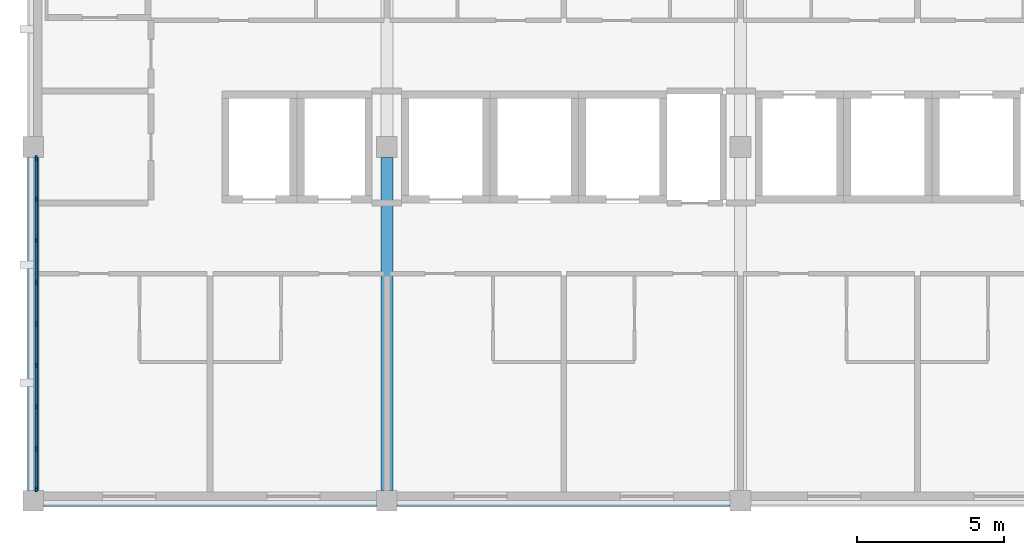
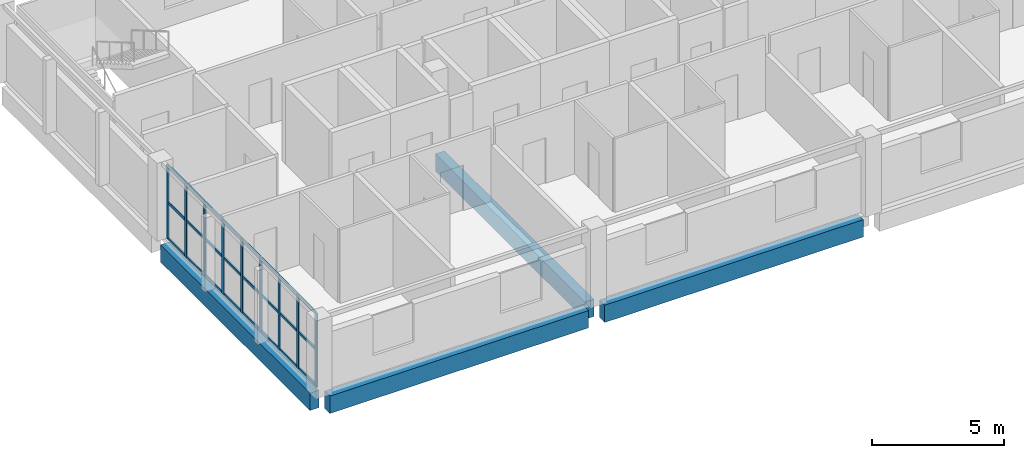
# One storey, part 2 of 11: 33 members, 4 beams, 1 element without a shape of its own.
"""IFC4 building model written with IfcOpenShell, lengths in metres."""

from ifc_helpers import new_model, si_unit, direction, frame, origin, origin_2d, place, context, subcontext, project, spatial, rectangle, extrude, material, layer, layer_set, material_profile, profile_set, type_object, element, aggregate, save


model = new_model("IFC4")

# Units and contexts
model_context = context("Model", 3, precision=1e-05, world=origin(), true_north=direction((0.0, 1.0)))
body_context = subcontext(model_context, "Body", "Model", "MODEL_VIEW")
ifc_project = project(units=[si_unit("LENGTHUNIT", "METRE"), si_unit("AREAUNIT", "SQUARE_METRE"), si_unit("VOLUMEUNIT", "CUBIC_METRE"), si_unit("PLANEANGLEUNIT", "RADIAN"), si_unit("MASSUNIT", "GRAM", prefix="KILO")], contexts=[model_context])

# Site, building, storey
site_placement = place(None, origin())
site = spatial("IfcSite", under=ifc_project, at=site_placement, CompositionType="ELEMENT")
building_placement = place(site_placement, origin())
building = spatial("IfcBuilding", under=site, at=building_placement, Name="Lilac Gate Convention Centre", CompositionType="ELEMENT")
storey_placement = place(building_placement, frame((0.0, 0.0, 60.60009765625)))
storey = spatial("IfcBuildingStorey", under=building, at=storey_placement, Name="L15", CompositionType="ELEMENT", Elevation=60.60009765625)

# Curtain wall, members
ifc_material_1 = material(Name="Aluminium framed double glazing", Category="aluminium")
ifc_layer = layer(ifc_material_1, 0.199951171875)
ifc_layer_set = layer_set([ifc_layer], Name="Aluminium framed double glazing")
curtain_wall_type = type_object("IfcCurtainWallType", Name="Unitised curtain wall 1500", PredefinedType="NOTDEFINED", material=ifc_layer_set)
curtain_wall_placement = place(storey_placement, origin())
curtain_wall = element("IfcCurtainWall", 1, at=curtain_wall_placement, inside=storey, type_object=curtain_wall_type, Name="Curtain wall W L15 2", PredefinedType="NOTDEFINED")
ifc_material_2 = material(Name="Aluminium alloy 6063", Category="aluminium")
ifc_material_profile_1 = material_profile(ifc_material_2, rectangle(XDim=0.06005859375, YDim=0.159912109375, at=origin_2d()), Name="Curtain wall mullion 60 x 160")
ifc_profile_set_1 = profile_set([ifc_material_profile_1], Name="Aluminium alloy 6063")
member_type_1 = type_object("IfcMemberType", Name="Curtain wall mullion 60 x 160", PredefinedType="MULLION", material=ifc_profile_set_1)
member_1_placement = place(storey_placement, frame((42.10009765625, 233.619873046875, 0.0), z_axis=(0.0, 0.0, 1.0), x_axis=(1.0, 0.0, 0.0)))
member_1 = element("IfcMember", 2, at=member_1_placement, type_object=member_type_1, Name="CW mullion 1", PredefinedType="MULLION", context=body_context, shape_type="SweptSolid", body=[
    extrude(rectangle(XDim=0.06005859375, YDim=0.159912109375, at=origin_2d()), origin(), (0.0, 0.0, 1.0), 3.39990234375),
])
member_2_placement = place(storey_placement, frame((42.10009765625, 232.237548828125, 0.0), z_axis=(0.0, 0.0, 1.0), x_axis=(1.0, 0.0, 0.0)))
member_2 = element("IfcMember", 3, at=member_2_placement, type_object=member_type_1, Name="CW mullion 2", PredefinedType="MULLION", context=body_context, shape_type="SweptSolid", body=[
    extrude(rectangle(XDim=0.06005859375, YDim=0.159912109375, at=origin_2d()), origin(), (0.0, 0.0, 1.0), 3.39990234375),
])
member_3_placement = place(storey_placement, frame((42.10009765625, 230.824951171875, 0.0), z_axis=(0.0, 0.0, 1.0), x_axis=(1.0, 0.0, 0.0)))
member_3 = element("IfcMember", 4, at=member_3_placement, type_object=member_type_1, Name="CW mullion 3", PredefinedType="MULLION", context=body_context, shape_type="SweptSolid", body=[
    extrude(rectangle(XDim=0.06005859375, YDim=0.159912109375, at=origin_2d()), origin(), (0.0, 0.0, 1.0), 3.39990234375),
])
member_4_placement = place(storey_placement, frame((42.10009765625, 229.41259765625, 0.0), z_axis=(0.0, 0.0, 1.0), x_axis=(1.0, 0.0, 0.0)))
member_4 = element("IfcMember", 5, at=member_4_placement, type_object=member_type_1, Name="CW mullion 4", PredefinedType="MULLION", context=body_context, shape_type="SweptSolid", body=[
    extrude(rectangle(XDim=0.06005859375, YDim=0.159912109375, at=origin_2d()), origin(), (0.0, 0.0, 1.0), 3.39990234375),
])
member_5_placement = place(storey_placement, frame((42.10009765625, 228.0, 0.0), z_axis=(0.0, 0.0, 1.0), x_axis=(1.0, 0.0, 0.0)))
member_5 = element("IfcMember", 6, at=member_5_placement, type_object=member_type_1, Name="CW mullion 5", PredefinedType="MULLION", context=body_context, shape_type="SweptSolid", body=[
    extrude(rectangle(XDim=0.06005859375, YDim=0.159912109375, at=origin_2d()), origin(), (0.0, 0.0, 1.0), 3.39990234375),
])
member_6_placement = place(storey_placement, frame((42.10009765625, 226.58740234375, 0.0), z_axis=(0.0, 0.0, 1.0), x_axis=(1.0, 0.0, 0.0)))
member_6 = element("IfcMember", 7, at=member_6_placement, type_object=member_type_1, Name="CW mullion 6", PredefinedType="MULLION", context=body_context, shape_type="SweptSolid", body=[
    extrude(rectangle(XDim=0.06005859375, YDim=0.159912109375, at=origin_2d()), origin(), (0.0, 0.0, 1.0), 3.39990234375),
])
member_7_placement = place(storey_placement, frame((42.10009765625, 225.175048828125, 0.0), z_axis=(0.0, 0.0, 1.0), x_axis=(1.0, 0.0, 0.0)))
member_7 = element("IfcMember", 8, at=member_7_placement, type_object=member_type_1, Name="CW mullion 7", PredefinedType="MULLION", context=body_context, shape_type="SweptSolid", body=[
    extrude(rectangle(XDim=0.06005859375, YDim=0.159912109375, at=origin_2d()), origin(), (0.0, 0.0, 1.0), 3.39990234375),
])
member_8_placement = place(storey_placement, frame((42.10009765625, 223.762451171875, 0.0), z_axis=(0.0, 0.0, 1.0), x_axis=(1.0, 0.0, 0.0)))
member_8 = element("IfcMember", 9, at=member_8_placement, type_object=member_type_1, Name="CW mullion 8", PredefinedType="MULLION", context=body_context, shape_type="SweptSolid", body=[
    extrude(rectangle(XDim=0.06005859375, YDim=0.159912109375, at=origin_2d()), origin(), (0.0, 0.0, 1.0), 3.39990234375),
])
member_9_placement = place(storey_placement, frame((42.10009765625, 222.380126953125, 0.0), z_axis=(0.0, 0.0, 1.0), x_axis=(1.0, 0.0, 0.0)))
member_9 = element("IfcMember", 10, at=member_9_placement, type_object=member_type_1, Name="CW mullion 9", PredefinedType="MULLION", context=body_context, shape_type="SweptSolid", body=[
    extrude(rectangle(XDim=0.06005859375, YDim=0.159912109375, at=origin_2d()), origin(), (0.0, 0.0, 1.0), 3.39990234375),
])
ifc_material_profile_2 = material_profile(ifc_material_2, rectangle(XDim=0.06005859375, YDim=0.1201171875, at=origin_2d()), Name="Curtain wall transom 60 x 120")
ifc_profile_set_2 = profile_set([ifc_material_profile_2], Name="Aluminium alloy 6063")
member_type_2 = type_object("IfcMemberType", Name="Curtain wall transom 60 x 120", PredefinedType="USERDEFINED", material=ifc_profile_set_2)
member_10_placement = place(storey_placement, frame((42.10009765625, 233.58984375, 0.030029296875), z_axis=(0.0, -1.0, 0.0), x_axis=(1.0, 0.0, 0.0)))
member_10 = element("IfcMember", 11, at=member_10_placement, type_object=member_type_2, Name="CW transom 1.1", ObjectType="TRANSOM", PredefinedType="USERDEFINED", context=body_context, shape_type="SweptSolid", body=[
    extrude(rectangle(XDim=0.06005859375, YDim=0.1201171875, at=origin_2d()), origin(), (0.0, 0.0, 1.0), 1.322509765625),
])
member_11_placement = place(storey_placement, frame((42.10009765625, 233.58984375, 1.699951171875), z_axis=(0.0, -1.0, 0.0), x_axis=(1.0, 0.0, 0.0)))
member_11 = element("IfcMember", 12, at=member_11_placement, type_object=member_type_2, Name="CW transom 1.2", ObjectType="TRANSOM", PredefinedType="USERDEFINED", context=body_context, shape_type="SweptSolid", body=[
    extrude(rectangle(XDim=0.06005859375, YDim=0.1201171875, at=origin_2d()), origin(), (0.0, 0.0, 1.0), 1.322509765625),
])
member_12_placement = place(storey_placement, frame((42.10009765625, 233.58984375, 3.369873046875), z_axis=(0.0, -1.0, 0.0), x_axis=(1.0, 0.0, 0.0)))
member_12 = element("IfcMember", 13, at=member_12_placement, type_object=member_type_2, Name="CW transom 1.3", ObjectType="TRANSOM", PredefinedType="USERDEFINED", context=body_context, shape_type="SweptSolid", body=[
    extrude(rectangle(XDim=0.06005859375, YDim=0.1201171875, at=origin_2d()), origin(), (0.0, 0.0, 1.0), 1.322509765625),
])
member_13_placement = place(storey_placement, frame((42.10009765625, 232.20751953125, 0.030029296875), z_axis=(0.0, -1.0, 0.0), x_axis=(1.0, 0.0, 0.0)))
member_13 = element("IfcMember", 14, at=member_13_placement, type_object=member_type_2, Name="CW transom 2.1", ObjectType="TRANSOM", PredefinedType="USERDEFINED", context=body_context, shape_type="SweptSolid", body=[
    extrude(rectangle(XDim=0.06005859375, YDim=0.1201171875, at=origin_2d()), origin(), (0.0, 0.0, 1.0), 1.3525390625),
])
member_14_placement = place(storey_placement, frame((42.10009765625, 232.20751953125, 1.699951171875), z_axis=(0.0, -1.0, 0.0), x_axis=(1.0, 0.0, 0.0)))
member_14 = element("IfcMember", 15, at=member_14_placement, type_object=member_type_2, Name="CW transom 2.2", ObjectType="TRANSOM", PredefinedType="USERDEFINED", context=body_context, shape_type="SweptSolid", body=[
    extrude(rectangle(XDim=0.06005859375, YDim=0.1201171875, at=origin_2d()), origin(), (0.0, 0.0, 1.0), 1.3525390625),
])
member_15_placement = place(storey_placement, frame((42.10009765625, 232.20751953125, 3.369873046875), z_axis=(0.0, -1.0, 0.0), x_axis=(1.0, 0.0, 0.0)))
member_15 = element("IfcMember", 16, at=member_15_placement, type_object=member_type_2, Name="CW transom 2.3", ObjectType="TRANSOM", PredefinedType="USERDEFINED", context=body_context, shape_type="SweptSolid", body=[
    extrude(rectangle(XDim=0.06005859375, YDim=0.1201171875, at=origin_2d()), origin(), (0.0, 0.0, 1.0), 1.3525390625),
])
member_16_placement = place(storey_placement, frame((42.10009765625, 230.794921875, 0.030029296875), z_axis=(0.0, -1.0, 0.0), x_axis=(1.0, 0.0, 0.0)))
member_16 = element("IfcMember", 17, at=member_16_placement, type_object=member_type_2, Name="CW transom 3.1", ObjectType="TRANSOM", PredefinedType="USERDEFINED", context=body_context, shape_type="SweptSolid", body=[
    extrude(rectangle(XDim=0.06005859375, YDim=0.1201171875, at=origin_2d()), origin(), (0.0, 0.0, 1.0), 1.3525390625),
])
member_17_placement = place(storey_placement, frame((42.10009765625, 230.794921875, 1.699951171875), z_axis=(0.0, -1.0, 0.0), x_axis=(1.0, 0.0, 0.0)))
member_17 = element("IfcMember", 18, at=member_17_placement, type_object=member_type_2, Name="CW transom 3.2", ObjectType="TRANSOM", PredefinedType="USERDEFINED", context=body_context, shape_type="SweptSolid", body=[
    extrude(rectangle(XDim=0.06005859375, YDim=0.1201171875, at=origin_2d()), origin(), (0.0, 0.0, 1.0), 1.3525390625),
])
member_18_placement = place(storey_placement, frame((42.10009765625, 230.794921875, 3.369873046875), z_axis=(0.0, -1.0, 0.0), x_axis=(1.0, 0.0, 0.0)))
member_18 = element("IfcMember", 19, at=member_18_placement, type_object=member_type_2, Name="CW transom 3.3", ObjectType="TRANSOM", PredefinedType="USERDEFINED", context=body_context, shape_type="SweptSolid", body=[
    extrude(rectangle(XDim=0.06005859375, YDim=0.1201171875, at=origin_2d()), origin(), (0.0, 0.0, 1.0), 1.3525390625),
])
member_19_placement = place(storey_placement, frame((42.10009765625, 229.382568359375, 0.030029296875), z_axis=(0.0, -1.0, 0.0), x_axis=(1.0, 0.0, 0.0)))
member_19 = element("IfcMember", 20, at=member_19_placement, type_object=member_type_2, Name="CW transom 4.1", ObjectType="TRANSOM", PredefinedType="USERDEFINED", context=body_context, shape_type="SweptSolid", body=[
    extrude(rectangle(XDim=0.06005859375, YDim=0.1201171875, at=origin_2d()), origin(), (0.0, 0.0, 1.0), 1.3525390625),
])
member_20_placement = place(storey_placement, frame((42.10009765625, 229.382568359375, 1.699951171875), z_axis=(0.0, -1.0, 0.0), x_axis=(1.0, 0.0, 0.0)))
member_20 = element("IfcMember", 21, at=member_20_placement, type_object=member_type_2, Name="CW transom 4.2", ObjectType="TRANSOM", PredefinedType="USERDEFINED", context=body_context, shape_type="SweptSolid", body=[
    extrude(rectangle(XDim=0.06005859375, YDim=0.1201171875, at=origin_2d()), origin(), (0.0, 0.0, 1.0), 1.3525390625),
])
member_21_placement = place(storey_placement, frame((42.10009765625, 229.382568359375, 3.369873046875), z_axis=(0.0, -1.0, 0.0), x_axis=(1.0, 0.0, 0.0)))
member_21 = element("IfcMember", 22, at=member_21_placement, type_object=member_type_2, Name="CW transom 4.3", ObjectType="TRANSOM", PredefinedType="USERDEFINED", context=body_context, shape_type="SweptSolid", body=[
    extrude(rectangle(XDim=0.06005859375, YDim=0.1201171875, at=origin_2d()), origin(), (0.0, 0.0, 1.0), 1.3525390625),
])
member_22_placement = place(storey_placement, frame((42.10009765625, 227.969970703125, 0.030029296875), z_axis=(0.0, -1.0, 0.0), x_axis=(1.0, 0.0, 0.0)))
member_22 = element("IfcMember", 23, at=member_22_placement, type_object=member_type_2, Name="CW transom 5.1", ObjectType="TRANSOM", PredefinedType="USERDEFINED", context=body_context, shape_type="SweptSolid", body=[
    extrude(rectangle(XDim=0.06005859375, YDim=0.1201171875, at=origin_2d()), origin(), (0.0, 0.0, 1.0), 1.3525390625),
])
member_23_placement = place(storey_placement, frame((42.10009765625, 227.969970703125, 1.699951171875), z_axis=(0.0, -1.0, 0.0), x_axis=(1.0, 0.0, 0.0)))
member_23 = element("IfcMember", 24, at=member_23_placement, type_object=member_type_2, Name="CW transom 5.2", ObjectType="TRANSOM", PredefinedType="USERDEFINED", context=body_context, shape_type="SweptSolid", body=[
    extrude(rectangle(XDim=0.06005859375, YDim=0.1201171875, at=origin_2d()), origin(), (0.0, 0.0, 1.0), 1.3525390625),
])
member_24_placement = place(storey_placement, frame((42.10009765625, 227.969970703125, 3.369873046875), z_axis=(0.0, -1.0, 0.0), x_axis=(1.0, 0.0, 0.0)))
member_24 = element("IfcMember", 25, at=member_24_placement, type_object=member_type_2, Name="CW transom 5.3", ObjectType="TRANSOM", PredefinedType="USERDEFINED", context=body_context, shape_type="SweptSolid", body=[
    extrude(rectangle(XDim=0.06005859375, YDim=0.1201171875, at=origin_2d()), origin(), (0.0, 0.0, 1.0), 1.3525390625),
])
member_25_placement = place(storey_placement, frame((42.10009765625, 226.5576171875, 0.030029296875), z_axis=(0.0, -1.0, 0.0), x_axis=(1.0, 0.0, 0.0)))
member_25 = element("IfcMember", 26, at=member_25_placement, type_object=member_type_2, Name="CW transom 6.1", ObjectType="TRANSOM", PredefinedType="USERDEFINED", context=body_context, shape_type="SweptSolid", body=[
    extrude(rectangle(XDim=0.06005859375, YDim=0.1201171875, at=origin_2d()), origin(), (0.0, 0.0, 1.0), 1.3525390625),
])
member_26_placement = place(storey_placement, frame((42.10009765625, 226.5576171875, 1.699951171875), z_axis=(0.0, -1.0, 0.0), x_axis=(1.0, 0.0, 0.0)))
member_26 = element("IfcMember", 27, at=member_26_placement, type_object=member_type_2, Name="CW transom 6.2", ObjectType="TRANSOM", PredefinedType="USERDEFINED", context=body_context, shape_type="SweptSolid", body=[
    extrude(rectangle(XDim=0.06005859375, YDim=0.1201171875, at=origin_2d()), origin(), (0.0, 0.0, 1.0), 1.3525390625),
])
member_27_placement = place(storey_placement, frame((42.10009765625, 226.5576171875, 3.369873046875), z_axis=(0.0, -1.0, 0.0), x_axis=(1.0, 0.0, 0.0)))
member_27 = element("IfcMember", 28, at=member_27_placement, type_object=member_type_2, Name="CW transom 6.3", ObjectType="TRANSOM", PredefinedType="USERDEFINED", context=body_context, shape_type="SweptSolid", body=[
    extrude(rectangle(XDim=0.06005859375, YDim=0.1201171875, at=origin_2d()), origin(), (0.0, 0.0, 1.0), 1.3525390625),
])
member_28_placement = place(storey_placement, frame((42.10009765625, 225.14501953125, 0.030029296875), z_axis=(0.0, -1.0, 0.0), x_axis=(1.0, 0.0, 0.0)))
member_28 = element("IfcMember", 29, at=member_28_placement, type_object=member_type_2, Name="CW transom 7.1", ObjectType="TRANSOM", PredefinedType="USERDEFINED", context=body_context, shape_type="SweptSolid", body=[
    extrude(rectangle(XDim=0.06005859375, YDim=0.1201171875, at=origin_2d()), origin(), (0.0, 0.0, 1.0), 1.3525390625),
])
member_29_placement = place(storey_placement, frame((42.10009765625, 225.14501953125, 1.699951171875), z_axis=(0.0, -1.0, 0.0), x_axis=(1.0, 0.0, 0.0)))
member_29 = element("IfcMember", 30, at=member_29_placement, type_object=member_type_2, Name="CW transom 7.2", ObjectType="TRANSOM", PredefinedType="USERDEFINED", context=body_context, shape_type="SweptSolid", body=[
    extrude(rectangle(XDim=0.06005859375, YDim=0.1201171875, at=origin_2d()), origin(), (0.0, 0.0, 1.0), 1.3525390625),
])
member_30_placement = place(storey_placement, frame((42.10009765625, 225.14501953125, 3.369873046875), z_axis=(0.0, -1.0, 0.0), x_axis=(1.0, 0.0, 0.0)))
member_30 = element("IfcMember", 31, at=member_30_placement, type_object=member_type_2, Name="CW transom 7.3", ObjectType="TRANSOM", PredefinedType="USERDEFINED", context=body_context, shape_type="SweptSolid", body=[
    extrude(rectangle(XDim=0.06005859375, YDim=0.1201171875, at=origin_2d()), origin(), (0.0, 0.0, 1.0), 1.3525390625),
])
member_31_placement = place(storey_placement, frame((42.10009765625, 223.732666015625, 0.030029296875), z_axis=(0.0, -1.0, 0.0), x_axis=(1.0, 0.0, 0.0)))
member_31 = element("IfcMember", 32, at=member_31_placement, type_object=member_type_2, Name="CW transom 8.1", ObjectType="TRANSOM", PredefinedType="USERDEFINED", context=body_context, shape_type="SweptSolid", body=[
    extrude(rectangle(XDim=0.06005859375, YDim=0.1201171875, at=origin_2d()), origin(), (0.0, 0.0, 1.0), 1.322509765625),
])
member_32_placement = place(storey_placement, frame((42.10009765625, 223.732666015625, 1.699951171875), z_axis=(0.0, -1.0, 0.0), x_axis=(1.0, 0.0, 0.0)))
member_32 = element("IfcMember", 33, at=member_32_placement, type_object=member_type_2, Name="CW transom 8.2", ObjectType="TRANSOM", PredefinedType="USERDEFINED", context=body_context, shape_type="SweptSolid", body=[
    extrude(rectangle(XDim=0.06005859375, YDim=0.1201171875, at=origin_2d()), origin(), (0.0, 0.0, 1.0), 1.322509765625),
])
member_33_placement = place(storey_placement, frame((42.10009765625, 223.732666015625, 3.369873046875), z_axis=(0.0, -1.0, 0.0), x_axis=(1.0, 0.0, 0.0)))
member_33 = element("IfcMember", 34, at=member_33_placement, type_object=member_type_2, Name="CW transom 8.3", ObjectType="TRANSOM", PredefinedType="USERDEFINED", context=body_context, shape_type="SweptSolid", body=[
    extrude(rectangle(XDim=0.06005859375, YDim=0.1201171875, at=origin_2d()), origin(), (0.0, 0.0, 1.0), 1.322509765625),
])
aggregate(curtain_wall, [member_1, member_2, member_3, member_4, member_5, member_6, member_7, member_8, member_9, member_10, member_11, member_12, member_13, member_14, member_15, member_16, member_17, member_18, member_19, member_20, member_21, member_22, member_23, member_24, member_25, member_26, member_27, member_28, member_29, member_30, member_31, member_32, member_33])

# Beams
ifc_material_3 = material(Name="Concrete C40", Category="concrete")
ifc_material_profile_3 = material_profile(ifc_material_3, rectangle(XDim=0.39990234375, YDim=0.800048828125, at=origin_2d()), Name="RC 400x800")
ifc_profile_set_3 = profile_set([ifc_material_profile_3], Name="Concrete C40")
beam_type = type_object("IfcBeamType", Name="Tower primary beam 400x800 C40", PredefinedType="BEAM", material=ifc_profile_set_3)
for number, where, z_axis, x_axis, name in (
    (35, (42.35009765625, 222.0, -0.60009765625), (1.0, 0.0, 0.0), (0.0, 1.0, 0.0), "RB3 L15 4/S-5/S"),
    (36, (54.35009765625, 222.0, -0.60009765625), (1.0, 0.0, 0.0), (0.0, 1.0, 0.0), "RB3 L15 5/S-6/S"),
    (37, (42.0, 222.35009765625, -0.60009765625), (0.0, 1.0, 0.0), (-1.0, 0.0, 0.0), "RB3 L15 4/S-4/T"),
    (38, (54.0, 222.35009765625, -0.60009765625), (0.0, 1.0, 0.0), (-1.0, 0.0, 0.0), "RB3 L15 5/S-5/T"),
):
    element("IfcBeam", number, at=place(storey_placement, frame(where, z_axis=z_axis, x_axis=x_axis)), inside=storey, type_object=beam_type, Name=name, PredefinedType="BEAM", context=body_context, shape_type="SweptSolid", body=[
        extrude(rectangle(XDim=0.39990234375, YDim=0.800048828125, at=origin_2d()), origin(), (0.0, 0.0, 1.0), 11.2998046875),
    ])

save(model, "model.ifc")
